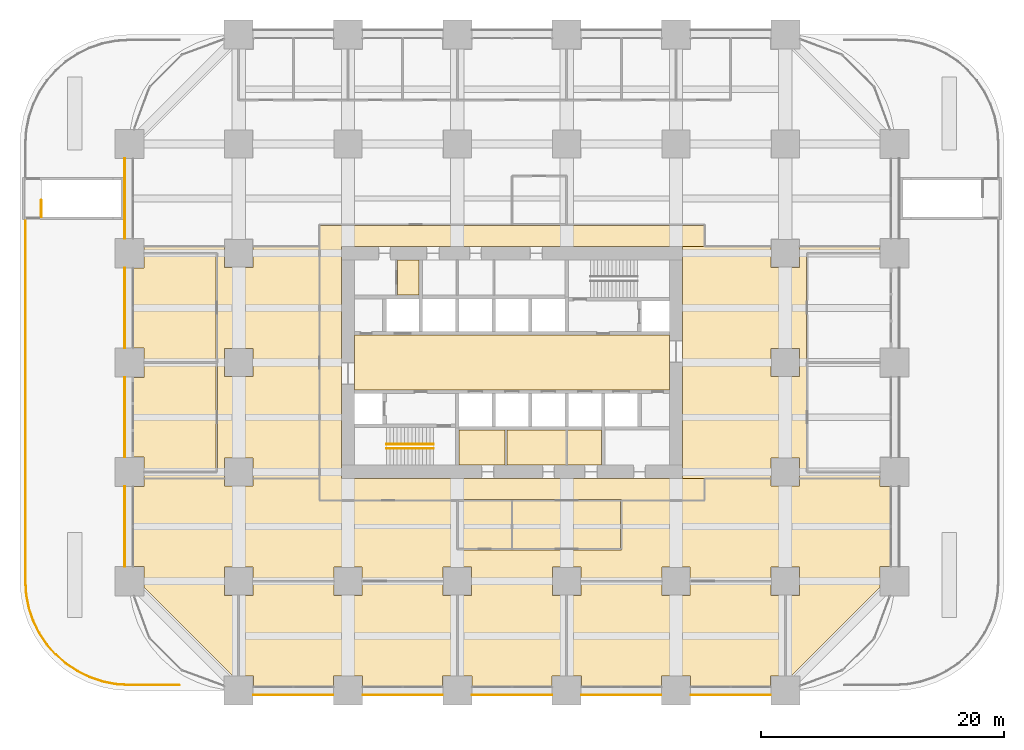
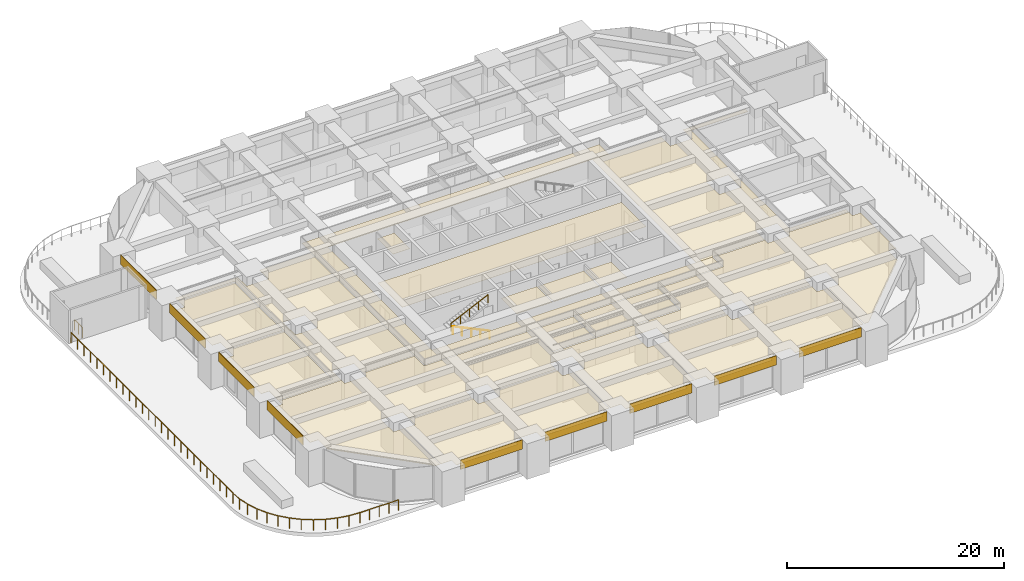
# One storey, part 36 of 38: 24 coverings, 4 railings.
"""IFC4 building model written with IfcOpenShell, lengths in metres."""

import ifcopenshell
import ifcopenshell.guid

model = None  # the IFC model being written
_history = None  # IfcOwnerHistory: only IFC2X3 demands one
_inside = {}  # id of a spatial element -> (the spatial element, [elements in it])
_under = {}  # id of a project, library or spatial element -> (it, [spatial elements below it])
_declared = {}  # id of a project -> (the project, [libraries it declares])
_typed = {}  # id of a type object -> (the type object, [elements of that type])
_made_of = {}  # id of a material, layer set ... -> (it, [elements and type objects made of it])


def new_model(schema):
    """Start an empty IFC model of exactly this schema.

    Asked for "IFC4X3", IfcOpenShell would pick the latest addendum, in which some entities
    have other attributes; the version numbers below select the first issue.
    IFC2X3 requires an IfcOwnerHistory on every rooted entity: one is made here for all.
    """
    global model, _history
    if schema == "IFC4X3":
        model = ifcopenshell.file(schema_version=(4, 3, 0, 0))
    else:
        model = ifcopenshell.file(schema=schema)
    _inside.clear()
    _under.clear()
    _declared.clear()
    _typed.clear()
    _made_of.clear()
    _history = None
    if model.schema == "IFC2X3":
        org = make("IfcOrganization", Name="unknown")
        user = make(
            "IfcPersonAndOrganization",
            ThePerson=make("IfcPerson", FamilyName="unknown"),
            TheOrganization=org,
        )
        app = make(
            "IfcApplication",
            ApplicationDeveloper=org,
            Version="unknown",
            ApplicationFullName="unknown",
            ApplicationIdentifier="unknown",
        )
        _history = make(
            "IfcOwnerHistory",
            OwningUser=user,
            OwningApplication=app,
            ChangeAction="ADDED",
            CreationDate=0,
        )
    return model


def make(cls, **values):
    """One entity of the class cls with the attributes given. An attribute that is None is left unset."""
    return model.create_entity(
        cls, **{name: value for name, value in values.items() if value is not None}
    )


def rooted(cls, **values):
    """An entity with a GlobalId (a new one), such as an element, a storey or a relation."""
    return make(cls, GlobalId=ifcopenshell.guid.new(), OwnerHistory=_history, **values)


def si_unit(unit_type, name, prefix=None):
    """IfcSIUnit, for example si_unit("LENGTHUNIT", "METRE", prefix="MILLI")."""
    return make("IfcSIUnit", UnitType=unit_type, Prefix=prefix, Name=name)


def assignment(units):
    """IfcUnitAssignment: the units of a project."""
    return None if units is None else make("IfcUnitAssignment", Units=units)


def point(xyz):
    """IfcCartesianPoint."""
    return None if xyz is None else make("IfcCartesianPoint", Coordinates=xyz)


def direction(xyz):
    """IfcDirection."""
    return None if xyz is None else make("IfcDirection", DirectionRatios=xyz)


def frame(location, z_axis=None, x_axis=None):
    """IfcAxis2Placement3D, a coordinate frame: its origin and axes. An axis left out is left unset."""
    return make(
        "IfcAxis2Placement3D",
        Location=point(location),
        Axis=direction(z_axis),
        RefDirection=direction(x_axis),
    )


def frame_2d(location, x_axis=None):
    """IfcAxis2Placement2D, a coordinate frame in the plane: its origin and x axis."""
    return make(
        "IfcAxis2Placement2D", Location=point(location), RefDirection=direction(x_axis)
    )


def origin():
    """The frame at (0, 0, 0) with its axes left unset."""
    return frame((0.0, 0.0, 0.0))


def origin_2d():
    """The frame at (0, 0) in the plane with its x axis left unset."""
    return frame_2d((0.0, 0.0))


def place(relative_to, where):
    """IfcLocalPlacement: puts the frame where relative to a parent placement (None: the world)."""
    return make(
        "IfcLocalPlacement", PlacementRelTo=relative_to, RelativePlacement=where
    )


def context(
    kind, dimensions, precision=None, world=None, true_north=None, identifier=None
):
    """IfcGeometricRepresentationContext, for example the 3D "Model" context."""
    return make(
        "IfcGeometricRepresentationContext",
        ContextIdentifier=identifier,
        ContextType=kind,
        CoordinateSpaceDimension=dimensions,
        Precision=precision,
        WorldCoordinateSystem=world,
        TrueNorth=true_north,
    )


def subcontext(parent, identifier, kind, view, scale=None):
    """IfcGeometricRepresentationSubContext, for example "Body" below "Model"."""
    return make(
        "IfcGeometricRepresentationSubContext",
        ContextIdentifier=identifier,
        ContextType=kind,
        ParentContext=parent,
        TargetScale=scale,
        TargetView=view,
    )


def project(units=None, contexts=None):
    """IfcProject with its units and contexts."""
    return rooted(
        "IfcProject",
        Name="project",
        RepresentationContexts=contexts,
        UnitsInContext=assignment(units),
    )


def spatial(cls, under=None, at=None, **own):
    """A site, building, storey or space (cls), placed at a placement, below another one or the project."""
    s = rooted(cls, ObjectPlacement=at, **own)
    if under is not None:
        _under.setdefault(under.id(), (under, []))[1].append(s)
    return s


def polyline(points):
    """IfcPolyline through the points."""
    return make("IfcPolyline", Points=[point(p) for p in points])


def profile(cls, at=None, kind="AREA", **sizes):
    """A parametric profile (cls). Its sizes go by their IFC names, for example OverallWidth=200.0."""
    return make(cls, ProfileType=kind, Position=at, **sizes)


def rectangle(**sizes):
    """IfcRectangleProfileDef."""
    return profile("IfcRectangleProfileDef", **sizes)


def circle(**sizes):
    """IfcCircleProfileDef."""
    return profile("IfcCircleProfileDef", **sizes)


def outline(outer, holes=None, kind="AREA"):
    """IfcArbitraryClosedProfileDef: a profile drawn as a closed curve; with holes, ...WithVoids."""
    if holes is None:
        return make("IfcArbitraryClosedProfileDef", ProfileType=kind, OuterCurve=outer)
    return make(
        "IfcArbitraryProfileDefWithVoids",
        ProfileType=kind,
        OuterCurve=outer,
        InnerCurves=holes,
    )


def extrude(swept, where, along, depth):
    """IfcExtrudedAreaSolid: the profile swept, set in the frame where, extruded along a direction by depth."""
    return make(
        "IfcExtrudedAreaSolid",
        SweptArea=swept,
        Position=where,
        ExtrudedDirection=direction(along),
        Depth=depth,
    )


def shape(context_of_items, identifier, shape_type, items):
    """IfcShapeRepresentation: the items that make up one representation, for example the "Body"."""
    return make(
        "IfcShapeRepresentation",
        ContextOfItems=context_of_items,
        RepresentationIdentifier=identifier,
        RepresentationType=shape_type,
        Items=items,
    )


def material(Name=None, Category=None):
    """IfcMaterial."""
    return make("IfcMaterial", Name=Name, Category=Category)


def layer(
    of_material, thickness, ventilated=None, Name=None, Category=None, Priority=None
):
    """IfcMaterialLayer: one layer of a wall or slab, of a material (None: an air gap)."""
    return make(
        "IfcMaterialLayer",
        Material=of_material,
        LayerThickness=thickness,
        IsVentilated=ventilated,
        Name=Name,
        Category=Category,
        Priority=Priority,
    )


def layer_set(layers, Name=None):
    """IfcMaterialLayerSet."""
    return make("IfcMaterialLayerSet", MaterialLayers=layers, LayerSetName=Name)


def made_of(thing, what):
    """Note that an element or type object is made of a material, layer set ...; save() writes the relation."""
    if what is not None:
        _made_of.setdefault(what.id(), (what, []))[1].append(thing)
    return thing


def type_object(cls, material=None, **own):
    """A type object (cls), such as IfcWallType, which elements share."""
    return made_of(rooted(cls, **own), material)


def element(
    cls,
    number,
    at=None,
    inside=None,
    cuts=None,
    type_object=None,
    material=None,
    context=None,
    identifier="Body",
    shape_type=None,
    held_by="IfcProductDefinitionShape",
    body=None,
    shapes=None,
    **own,
):
    """One element of the class cls, such as IfcWall. Its Tag is "e" and its number.

    at: its placement. inside: the storey or other place that contains it. cuts: it is an
    opening in that element (IfcRelVoidsElement). A single representation is given by context,
    identifier, shape_type and body (its items); several are given by shapes. held_by: the class
    of the entity that holds the representations. save() writes the other relations.
    """
    e = rooted(cls, Tag="e%d" % number, ObjectPlacement=at, **own)
    if body is not None:
        shapes = [shape(context, identifier, shape_type, body)]
    if shapes is not None:
        e.Representation = make(held_by, Representations=shapes)
    if inside is not None:
        _inside.setdefault(inside.id(), (inside, []))[1].append(e)
    if cuts is not None:
        rooted(
            "IfcRelVoidsElement", RelatingBuildingElement=cuts, RelatedOpeningElement=e
        )
    if type_object is not None:
        _typed.setdefault(type_object.id(), (type_object, []))[1].append(e)
    return made_of(e, material)


def aggregate(whole, parts):
    """IfcRelAggregates: a whole, such as a stair, and the parts it consists of."""
    return rooted("IfcRelAggregates", RelatingObject=whole, RelatedObjects=parts)


def save(model, path):
    """Write the relations noted so far, then the file.

    IfcRelAggregates (storeys below a building ...), IfcRelContainedInSpatialStructure (elements
    in a storey), IfcRelDefinesByType, IfcRelAssociatesMaterial and IfcRelDeclares: one each for
    every whole, place, type object, material and project.
    """
    for whole, parts in _under.values():
        aggregate(whole, parts)
    for where, things in _inside.values():
        rooted(
            "IfcRelContainedInSpatialStructure",
            RelatedElements=things,
            RelatingStructure=where,
        )
    for kind, things in _typed.values():
        rooted("IfcRelDefinesByType", RelatedObjects=things, RelatingType=kind)
    for what, things in _made_of.values():
        rooted("IfcRelAssociatesMaterial", RelatedObjects=things, RelatingMaterial=what)
    for by, libraries in _declared.values():
        rooted("IfcRelDeclares", RelatingContext=by, RelatedDefinitions=libraries)
    model.write(path)


model = new_model("IFC4")

# Units and contexts
model_context = context("Model", 3, precision=1e-05, world=origin(), true_north=direction((0.0, 1.0)))
body_context = subcontext(model_context, "Body", "Model", "MODEL_VIEW")
ifc_project = project(units=[si_unit("LENGTHUNIT", "METRE"), si_unit("AREAUNIT", "SQUARE_METRE"), si_unit("VOLUMEUNIT", "CUBIC_METRE"), si_unit("PLANEANGLEUNIT", "RADIAN"), si_unit("MASSUNIT", "GRAM", prefix="KILO")], contexts=[model_context])

# Site, building, storey
site_placement = place(None, origin())
site = spatial("IfcSite", under=ifc_project, at=site_placement, CompositionType="ELEMENT")
building_placement = place(site_placement, origin())
building = spatial("IfcBuilding", under=site, at=building_placement, Name="Zorevar Civic Tower", CompositionType="ELEMENT")
storey_placement = place(building_placement, frame((0.0, 0.0, 15.800048828125)))
storey = spatial("IfcBuildingStorey", under=building, at=storey_placement, Name="L03", CompositionType="ELEMENT", Elevation=15.800048828125)

# Railings
ifc_material_1 = material(Name="Black steel posts and laminated glass", Category="steel")
railing_type_1 = type_object("IfcRailingType", Name="Guard GR1 1200", PredefinedType="GUARDRAIL", material=ifc_material_1)
railing_1_placement = place(storey_placement, frame((4.11083984375, 0.449951171875, 0.0)))
element("IfcRailing", 1, at=railing_1_placement, inside=storey, type_object=railing_type_1, Name="Guard GR1 L03", PredefinedType="GUARDRAIL", context=body_context, shape_type="SweptSolid", body=[
    extrude(circle(Radius=0.02392578125, at=origin_2d()), frame((0.0, 0.0, 1.17578125), z_axis=(-1.0, 0.0, 0.0), x_axis=(0.0, -1.0, 0.0)), (0.0, 0.0, 1.0), 4.09619140625),
    extrude(circle(Radius=0.02392578125, at=origin_2d()), frame((-4.09619140625, 0.0, 1.17578125), z_axis=(-0.997852333837, 0.065503586587, 0.0), x_axis=(-0.065503586587, -0.997852333837, 0.0)), (0.0, 0.0, 1.0), 1.133056640625),
    extrude(circle(Radius=0.02392578125, at=origin_2d()), frame((-5.226806640625, 0.07421875, 1.17578125), z_axis=(-0.980806763429, 0.194982288456, 0.0), x_axis=(-0.194982288456, -0.980806763429, 0.0)), (0.0, 0.0, 1.0), 1.1181640625),
    extrude(circle(Radius=0.02392578125, at=origin_2d()), frame((-6.323486328125, 0.292236328125, 1.17578125), z_axis=(-0.946877825624, 0.321593506374, 0.0), x_axis=(-0.321593506374, -0.946877825624, 0.0)), (0.0, 0.0, 1.0), 1.1181640625),
    extrude(circle(Radius=0.02392578125, at=origin_2d()), frame((-7.38232421875, 0.65185546875, 1.17578125), z_axis=(-0.896859006823, 0.442316540366, 0.0), x_axis=(-0.442316540366, -0.896859006823, 0.0)), (0.0, 0.0, 1.0), 1.1181640625),
    extrude(circle(Radius=0.02392578125, at=origin_2d()), frame((-8.38525390625, 1.146484375, 1.17578125), z_axis=(-0.831579768311, 0.555405337512, 0.0), x_axis=(-0.555405337512, -0.831579768311, 0.0)), (0.0, 0.0, 1.0), 1.1181640625),
    extrude(circle(Radius=0.02392578125, at=origin_2d()), frame((-9.315185546875, 1.767578125, 1.17578125), z_axis=(-0.751873024363, 0.659307936578, 0.0), x_axis=(-0.659307936578, -0.751873024363, 0.0)), (0.0, 0.0, 1.0), 1.118408203125),
    extrude(circle(Radius=0.02392578125, at=origin_2d()), frame((-10.156005859375, 2.5048828125, 1.17578125), z_axis=(-0.659307936578, 0.751873024363, 0.0), x_axis=(-0.751873024363, -0.659307936578, 0.0)), (0.0, 0.0, 1.0), 1.118408203125),
    extrude(circle(Radius=0.02392578125, at=origin_2d()), frame((-10.893310546875, 3.345703125, 1.17578125), z_axis=(-0.555405337512, 0.831579768311, 0.0), x_axis=(-0.831579768311, -0.555405337512, 0.0)), (0.0, 0.0, 1.0), 1.1181640625),
    extrude(circle(Radius=0.02392578125, at=origin_2d()), frame((-11.514404296875, 4.275634765625, 1.17578125), z_axis=(-0.442316540366, 0.896859006823, 0.0), x_axis=(-0.896859006823, -0.442316540366, 0.0)), (0.0, 0.0, 1.0), 1.1181640625),
    extrude(circle(Radius=0.02392578125, at=origin_2d()), frame((-12.009033203125, 5.278564453125, 1.17578125), z_axis=(-0.321593506374, 0.946877825624, 0.0), x_axis=(-0.946877825624, -0.321593506374, 0.0)), (0.0, 0.0, 1.0), 1.1181640625),
    extrude(circle(Radius=0.02392578125, at=origin_2d()), frame((-12.36865234375, 6.33740234375, 1.17578125), z_axis=(-0.194982288456, 0.980806763429, 0.0), x_axis=(-0.980806763429, -0.194982288456, 0.0)), (0.0, 0.0, 1.0), 1.1181640625),
    extrude(circle(Radius=0.02392578125, at=origin_2d()), frame((-12.586669921875, 7.43408203125, 1.17578125), z_axis=(-0.065503586587, 0.997852333837, 0.0), x_axis=(-0.997852333837, -0.065503586587, 0.0)), (0.0, 0.0, 1.0), 1.133056640625),
    extrude(circle(Radius=0.02392578125, at=origin_2d()), frame((-12.660888671875, 8.564697265625, 1.17578125), z_axis=(0.0, 1.0, 0.0), x_axis=(-1.0, 0.0, 0.0)), (0.0, 0.0, 1.0), 29.76025390625),
    extrude(circle(Radius=0.02099609375, at=origin_2d()), origin(), (0.0, 0.0, 1.0), 1.15185546875),
    extrude(circle(Radius=0.02099609375, at=origin_2d()), frame((-1.02392578125, 0.0, 0.0)), (0.0, 0.0, 1.0), 1.15185546875),
    extrude(circle(Radius=0.02099609375, at=origin_2d()), frame((-2.048095703125, 0.0, 0.0)), (0.0, 0.0, 1.0), 1.15185546875),
    extrude(circle(Radius=0.02099609375, at=origin_2d()), frame((-3.072265625, 0.0, 0.0)), (0.0, 0.0, 1.0), 1.15185546875),
    extrude(circle(Radius=0.02099609375, at=origin_2d()), frame((-4.09619140625, 0.0, 0.0)), (0.0, 0.0, 1.0), 1.15185546875),
    extrude(circle(Radius=0.02099609375, at=origin_2d()), frame((-5.226806640625, 0.07421875, 0.0)), (0.0, 0.0, 1.0), 1.15185546875),
    extrude(circle(Radius=0.02099609375, at=origin_2d()), frame((-6.323486328125, 0.292236328125, 0.0)), (0.0, 0.0, 1.0), 1.15185546875),
    extrude(circle(Radius=0.02099609375, at=origin_2d()), frame((-7.38232421875, 0.65185546875, 0.0)), (0.0, 0.0, 1.0), 1.15185546875),
    extrude(circle(Radius=0.02099609375, at=origin_2d()), frame((-8.38525390625, 1.146484375, 0.0)), (0.0, 0.0, 1.0), 1.15185546875),
    extrude(circle(Radius=0.02099609375, at=origin_2d()), frame((-9.315185546875, 1.767578125, 0.0)), (0.0, 0.0, 1.0), 1.15185546875),
    extrude(circle(Radius=0.02099609375, at=origin_2d()), frame((-10.156005859375, 2.5048828125, 0.0)), (0.0, 0.0, 1.0), 1.15185546875),
    extrude(circle(Radius=0.02099609375, at=origin_2d()), frame((-10.893310546875, 3.345703125, 0.0)), (0.0, 0.0, 1.0), 1.15185546875),
    extrude(circle(Radius=0.02099609375, at=origin_2d()), frame((-11.514404296875, 4.275634765625, 0.0)), (0.0, 0.0, 1.0), 1.15185546875),
    extrude(circle(Radius=0.02099609375, at=origin_2d()), frame((-12.009033203125, 5.278564453125, 0.0)), (0.0, 0.0, 1.0), 1.15185546875),
    extrude(circle(Radius=0.02099609375, at=origin_2d()), frame((-12.36865234375, 6.33740234375, 0.0)), (0.0, 0.0, 1.0), 1.15185546875),
    extrude(circle(Radius=0.02099609375, at=origin_2d()), frame((-12.586669921875, 7.43408203125, 0.0)), (0.0, 0.0, 1.0), 1.15185546875),
    extrude(circle(Radius=0.02099609375, at=origin_2d()), frame((-12.660888671875, 8.564697265625, 0.0)), (0.0, 0.0, 1.0), 1.15185546875),
    extrude(circle(Radius=0.02099609375, at=origin_2d()), frame((-12.660888671875, 9.755126953125, 0.0)), (0.0, 0.0, 1.0), 1.15185546875),
    extrude(circle(Radius=0.02099609375, at=origin_2d()), frame((-12.660888671875, 10.945556640625, 0.0)), (0.0, 0.0, 1.0), 1.15185546875),
    extrude(circle(Radius=0.02099609375, at=origin_2d()), frame((-12.660888671875, 12.135986328125, 0.0)), (0.0, 0.0, 1.0), 1.15185546875),
    extrude(circle(Radius=0.02099609375, at=origin_2d()), frame((-12.660888671875, 13.326416015625, 0.0)), (0.0, 0.0, 1.0), 1.15185546875),
    extrude(circle(Radius=0.02099609375, at=origin_2d()), frame((-12.660888671875, 14.516845703125, 0.0)), (0.0, 0.0, 1.0), 1.15185546875),
    extrude(circle(Radius=0.02099609375, at=origin_2d()), frame((-12.660888671875, 15.707275390625, 0.0)), (0.0, 0.0, 1.0), 1.15185546875),
    extrude(circle(Radius=0.02099609375, at=origin_2d()), frame((-12.660888671875, 16.8974609375, 0.0)), (0.0, 0.0, 1.0), 1.15185546875),
    extrude(circle(Radius=0.02099609375, at=origin_2d()), frame((-12.660888671875, 18.087890625, 0.0)), (0.0, 0.0, 1.0), 1.15185546875),
    extrude(circle(Radius=0.02099609375, at=origin_2d()), frame((-12.660888671875, 19.2783203125, 0.0)), (0.0, 0.0, 1.0), 1.15185546875),
    extrude(circle(Radius=0.02099609375, at=origin_2d()), frame((-12.660888671875, 20.46875, 0.0)), (0.0, 0.0, 1.0), 1.15185546875),
    extrude(circle(Radius=0.02099609375, at=origin_2d()), frame((-12.660888671875, 21.6591796875, 0.0)), (0.0, 0.0, 1.0), 1.15185546875),
    extrude(circle(Radius=0.02099609375, at=origin_2d()), frame((-12.660888671875, 22.849609375, 0.0)), (0.0, 0.0, 1.0), 1.15185546875),
    extrude(circle(Radius=0.02099609375, at=origin_2d()), frame((-12.660888671875, 24.0400390625, 0.0)), (0.0, 0.0, 1.0), 1.15185546875),
    extrude(circle(Radius=0.02099609375, at=origin_2d()), frame((-12.660888671875, 25.23046875, 0.0)), (0.0, 0.0, 1.0), 1.15185546875),
    extrude(circle(Radius=0.02099609375, at=origin_2d()), frame((-12.660888671875, 26.4208984375, 0.0)), (0.0, 0.0, 1.0), 1.15185546875),
    extrude(circle(Radius=0.02099609375, at=origin_2d()), frame((-12.660888671875, 27.611328125, 0.0)), (0.0, 0.0, 1.0), 1.15185546875),
    extrude(circle(Radius=0.02099609375, at=origin_2d()), frame((-12.660888671875, 28.8017578125, 0.0)), (0.0, 0.0, 1.0), 1.15185546875),
    extrude(circle(Radius=0.02099609375, at=origin_2d()), frame((-12.660888671875, 29.9921875, 0.0)), (0.0, 0.0, 1.0), 1.15185546875),
    extrude(circle(Radius=0.02099609375, at=origin_2d()), frame((-12.660888671875, 31.182373046875, 0.0)), (0.0, 0.0, 1.0), 1.15185546875),
    extrude(circle(Radius=0.02099609375, at=origin_2d()), frame((-12.660888671875, 32.372802734375, 0.0)), (0.0, 0.0, 1.0), 1.15185546875),
    extrude(circle(Radius=0.02099609375, at=origin_2d()), frame((-12.660888671875, 33.563232421875, 0.0)), (0.0, 0.0, 1.0), 1.15185546875),
    extrude(circle(Radius=0.02099609375, at=origin_2d()), frame((-12.660888671875, 34.753662109375, 0.0)), (0.0, 0.0, 1.0), 1.15185546875),
    extrude(circle(Radius=0.02099609375, at=origin_2d()), frame((-12.660888671875, 35.944091796875, 0.0)), (0.0, 0.0, 1.0), 1.15185546875),
    extrude(circle(Radius=0.02099609375, at=origin_2d()), frame((-12.660888671875, 37.134521484375, 0.0)), (0.0, 0.0, 1.0), 1.15185546875),
    extrude(circle(Radius=0.02099609375, at=origin_2d()), frame((-12.660888671875, 38.324951171875, 0.0)), (0.0, 0.0, 1.0), 1.15185546875),
])
ifc_material_2 = material(Name="Black steel handrail", Category="steel")
railing_type_2 = type_object("IfcRailingType", Name="Handrail HR1 900", PredefinedType="HANDRAIL", material=ifc_material_2)
railing_2_placement = place(storey_placement, frame((25.050048828125, 19.925048828125, 0.142822265625)))
element("IfcRailing", 2, at=railing_2_placement, inside=storey, type_object=railing_type_2, Name="Handrail HR1 ST1 L03", PredefinedType="HANDRAIL", context=body_context, shape_type="SweptSolid", body=[
    extrude(circle(Radius=0.02392578125, at=origin_2d()), frame((0.0, 0.0, 0.8759765625), z_axis=(-0.902863652845, 0.0, 0.429926998885), x_axis=(0.0, -1.0, 0.0)), (0.0, 0.0, 1.0), 4.31982421875),
    extrude(circle(Radius=0.02099609375, at=origin_2d()), origin(), (0.0, 0.0, 1.0), 0.851806640625),
    extrude(circle(Radius=0.02099609375, at=origin_2d()), frame((-0.97509765625, 0.0, 0.46435546875)), (0.0, 0.0, 1.0), 0.851806640625),
    extrude(circle(Radius=0.02099609375, at=origin_2d()), frame((-1.9501953125, 0.0, 0.9287109375)), (0.0, 0.0, 1.0), 0.851806640625),
    extrude(circle(Radius=0.02099609375, at=origin_2d()), frame((-2.925048828125, 0.0, 1.392822265625)), (0.0, 0.0, 1.0), 0.851806640625),
    extrude(circle(Radius=0.02099609375, at=origin_2d()), frame((-3.900146484375, 0.0, 1.857177734375)), (0.0, 0.0, 1.0), 0.851806640625),
])
railing_3_placement = place(storey_placement, frame((21.14990234375, 20.27490234375, 2.142822265625)))
element("IfcRailing", 3, at=railing_3_placement, inside=storey, type_object=railing_type_2, Name="Handrail HR1 ST1 L03", PredefinedType="HANDRAIL", context=body_context, shape_type="SweptSolid", body=[
    extrude(circle(Radius=0.02392578125, at=origin_2d()), frame((0.0, 0.0, 0.8759765625), z_axis=(0.902863652845, 0.0, 0.429926998885), x_axis=(0.0, 1.0, 0.0)), (0.0, 0.0, 1.0), 4.31982421875),
    extrude(circle(Radius=0.02099609375, at=origin_2d()), origin(), (0.0, 0.0, 1.0), 0.851806640625),
    extrude(circle(Radius=0.02099609375, at=origin_2d()), frame((0.97509765625, 0.0, 0.46435546875)), (0.0, 0.0, 1.0), 0.851806640625),
    extrude(circle(Radius=0.02099609375, at=origin_2d()), frame((1.9501953125, 0.0, 0.9287109375)), (0.0, 0.0, 1.0), 0.851806640625),
    extrude(circle(Radius=0.02099609375, at=origin_2d()), frame((2.925048828125, 0.0, 1.392822265625)), (0.0, 0.0, 1.0), 0.851806640625),
    extrude(circle(Radius=0.02099609375, at=origin_2d()), frame((3.900146484375, 0.0, 1.857177734375)), (0.0, 0.0, 1.0), 0.851806640625),
])

# Coverings
ifc_material_3 = material(Name="Moisture-resistant gypsum board")
ifc_layer_1 = layer(ifc_material_3, 0.012451171875)
ifc_layer_set_1 = layer_set([ifc_layer_1], Name="Moisture-resistant ceiling SC3")
covering_type_1 = type_object("IfcCoveringType", Name="Moisture-resistant ceiling SC3", PredefinedType="CEILING", material=ifc_layer_set_1)
covering_1_placement = place(storey_placement, frame((0.0, 0.0, 3.0)))
element("IfcCovering", 4, at=covering_1_placement, inside=storey, type_object=covering_type_1, Name="Ceiling L03-05", PredefinedType="CEILING", context=body_context, shape_type="SweptSolid", body=[
    extrude(outline(polyline([(30.925048828125, 18.550048828125), (30.925048828125, 21.449951171875), (27.14990234375, 21.449951171875), (27.14990234375, 18.550048828125), (30.925048828125, 18.550048828125)])), origin(), (0.0, 0.0, 1.0), 0.012451171875),
])
covering_2_placement = place(storey_placement, frame((0.0, 0.0, 3.0)))
element("IfcCovering", 5, at=covering_2_placement, inside=storey, type_object=covering_type_1, Name="Ceiling L03-06", PredefinedType="CEILING", context=body_context, shape_type="SweptSolid", body=[
    extrude(outline(polyline([(35.925048828125, 18.550048828125), (35.925048828125, 21.449951171875), (31.074951171875, 21.449951171875), (31.074951171875, 18.550048828125), (35.925048828125, 18.550048828125)])), origin(), (0.0, 0.0, 1.0), 0.012451171875),
])
covering_3_placement = place(storey_placement, frame((0.0, 0.0, 3.0)))
element("IfcCovering", 6, at=covering_3_placement, inside=storey, type_object=covering_type_1, Name="Ceiling L03-07", PredefinedType="CEILING", context=body_context, shape_type="SweptSolid", body=[
    extrude(outline(polyline([(38.85009765625, 18.550048828125), (38.85009765625, 21.449951171875), (36.074951171875, 21.449951171875), (36.074951171875, 18.550048828125), (38.85009765625, 18.550048828125)])), origin(), (0.0, 0.0, 1.0), 0.012451171875),
])
ifc_material_4 = material(Name="Black anodised aluminium spandrel panel", Category="aluminium")
ifc_layer_2 = layer(ifc_material_4, 0.050048828125)
ifc_layer_set_2 = layer_set([ifc_layer_2], Name="Spandrel cladding SP1")
covering_type_2 = type_object("IfcCoveringType", Name="Spandrel cladding SP1", PredefinedType="CLADDING", material=ifc_layer_set_2)
for number, where, z_axis, x_axis, name in (
    (7, (10.199951171875, -0.375, 2.949951171875), (0.0, 0.0, 1.0), (1.0, 0.0, 0.0), "Spandrel cladding L04"),
    (8, (19.199951171875, -0.375, 2.949951171875), (0.0, 0.0, 1.0), (1.0, 0.0, 0.0), "Spandrel cladding L04"),
    (9, (28.199951171875, -0.375, 2.949951171875), (0.0, 0.0, 1.0), (1.0, 0.0, 0.0), "Spandrel cladding L04"),
    (10, (37.199951171875, -0.375, 2.949951171875), (0.0, 0.0, 1.0), (1.0, 0.0, 0.0), "Spandrel cladding L04"),
    (11, (46.199951171875, -0.375, 2.949951171875), (0.0, 0.0, 1.0), (1.0, 0.0, 0.0), "Spandrel cladding L04"),
    (12, (-0.375, 10.199951171875, 2.949951171875), (0.0, 0.0, 1.0), (0.0, 1.0, 0.0), "Spandrel cladding L04"),
    (13, (-0.375, 19.199951171875, 2.949951171875), (0.0, 0.0, 1.0), (0.0, 1.0, 0.0), "Spandrel cladding L04"),
    (14, (-0.375, 28.199951171875, 2.949951171875), (0.0, 0.0, 1.0), (0.0, 1.0, 0.0), "Spandrel cladding L04"),
    (15, (-0.375, 37.199951171875, 2.949951171875), (0.0, 0.0, 1.0), (0.0, 1.0, 0.0), "Spandrel cladding L04"),
):
    element("IfcCovering", number, at=place(storey_placement, frame(where, z_axis=z_axis, x_axis=x_axis)), inside=storey, type_object=covering_type_2, Name=name, PredefinedType="CLADDING", context=body_context, shape_type="SweptSolid", body=[
        extrude(rectangle(XDim=6.60009765625, YDim=0.050048828125, at=frame_2d((3.300048828125, 0.0))), origin(), (0.0, 0.0, 1.0), 1.050048828125),
    ])

# Railing
ifc_material_5 = material(Name="Black steel guard with infill bars", Category="steel")
railing_type_3 = type_object("IfcRailingType", Name="Stair guard GR2 1200", PredefinedType="GUARDRAIL", material=ifc_material_5)
railing_4_placement = place(storey_placement, frame((-7.25, 38.97509765625, 0.0)))
element("IfcRailing", 16, at=railing_4_placement, inside=storey, type_object=railing_type_3, Name="Stair guard PS1 L03", PredefinedType="GUARDRAIL", context=body_context, shape_type="SweptSolid", body=[
    extrude(circle(Radius=0.02392578125, at=origin_2d()), frame((0.0, 0.0, 1.17578125), z_axis=(0.0, 1.0, 0.0), x_axis=(-1.0, 0.0, 0.0)), (0.0, 0.0, 1.0), 1.39990234375),
    extrude(circle(Radius=0.02099609375, at=origin_2d()), origin(), (0.0, 0.0, 1.0), 1.15185546875),
    extrude(circle(Radius=0.02099609375, at=origin_2d()), frame((0.0, 0.699951171875, 0.0)), (0.0, 0.0, 1.0), 1.15185546875),
    extrude(circle(Radius=0.02099609375, at=origin_2d()), frame((0.0, 1.39990234375, 0.0)), (0.0, 0.0, 1.0), 1.15185546875),
])

# Coverings
ifc_material_6 = material(Name="Mineral fibre tiles on a concealed grid")
ifc_layer_3 = layer(ifc_material_6, 0.02001953125)
ifc_layer_set_3 = layer_set([ifc_layer_3], Name="Suspended ceiling SC1")
covering_type_3 = type_object("IfcCoveringType", Name="Suspended ceiling SC1", PredefinedType="CEILING", material=ifc_layer_set_3)
covering_4_placement = place(storey_placement, frame((0.0, 0.0, 3.0)))
element("IfcCovering", 17, at=covering_4_placement, inside=storey, type_object=covering_type_3, Name="Ceiling L03-12", PredefinedType="CEILING", context=body_context, shape_type="SweptSolid", body=[
    extrude(outline(polyline([(23.85009765625, 32.550048828125), (23.85009765625, 35.449951171875), (22.06005859375, 35.449951171875), (22.06005859375, 32.550048828125), (23.85009765625, 32.550048828125)])), origin(), (0.0, 0.0, 1.0), 0.02001953125),
])
covering_5_placement = place(storey_placement, frame((0.0, 0.0, 3.0)))
element("IfcCovering", 18, at=covering_5_placement, inside=storey, type_object=covering_type_3, Name="Ceiling L03-16", PredefinedType="CEILING", context=body_context, shape_type="SweptSolid", body=[
    extrude(outline(polyline([(44.449951171875, 24.75), (44.449951171875, 29.25), (18.550048828125, 29.25), (18.550048828125, 24.75), (44.449951171875, 24.75)])), origin(), (0.0, 0.0, 1.0), 0.02001953125),
])
covering_6_placement = place(storey_placement, frame((0.0, 0.0, 3.0)))
element("IfcCovering", 19, at=covering_6_placement, inside=storey, type_object=covering_type_3, Name="Ceiling L03-19", PredefinedType="CEILING", context=body_context, shape_type="SweptSolid", body=[
    extrude(outline(polyline([(1.2099609375, 19.2099609375), (0.35009765625, 19.2099609375), (0.35009765625, 25.7900390625), (1.2099609375, 25.7900390625), (1.2099609375, 26.93994140625), (7.14990234375, 26.93994140625), (7.14990234375, 18.050048828125), (1.2099609375, 18.050048828125), (1.2099609375, 19.2099609375)])), origin(), (0.0, 0.0, 1.0), 0.02001953125),
])
covering_7_placement = place(storey_placement, frame((0.0, 0.0, 3.0)))
element("IfcCovering", 20, at=covering_7_placement, inside=storey, type_object=covering_type_3, Name="Ceiling L03-20", PredefinedType="CEILING", context=body_context, shape_type="SweptSolid", body=[
    extrude(outline(polyline([(1.2099609375, 28.2099609375), (0.35009765625, 28.2099609375), (0.35009765625, 34.7900390625), (1.2099609375, 34.7900390625), (1.2099609375, 35.93994140625), (7.139892578125, 35.93994140625), (7.139892578125, 27.06005859375), (1.2099609375, 27.06005859375), (1.2099609375, 28.2099609375)])), origin(), (0.0, 0.0, 1.0), 0.02001953125),
])
covering_8_placement = place(storey_placement, frame((0.0, 0.0, 3.0)))
element("IfcCovering", 21, at=covering_8_placement, inside=storey, type_object=covering_type_3, Name="Ceiling L03-23", PredefinedType="CEILING", context=body_context, shape_type="SweptSolid", body=[
    extrude(outline(polyline([(10.159912109375, 7.840087890625), (10.159912109375, 8.93994140625), (16.840087890625, 8.93994140625), (16.840087890625, 7.840087890625), (19.159912109375, 7.840087890625), (19.159912109375, 8.93994140625), (25.840087890625, 8.93994140625), (25.840087890625, 7.840087890625), (26.93994140625, 7.840087890625), (26.93994140625, 1.2099609375), (25.7900390625, 1.2099609375), (25.7900390625, 0.35009765625), (19.2099609375, 0.35009765625), (19.2099609375, 1.2099609375), (16.7900390625, 1.2099609375), (16.7900390625, 0.35009765625), (10.2099609375, 0.35009765625), (10.2099609375, 1.2099609375), (9.06005859375, 1.2099609375), (9.06005859375, 7.840087890625), (10.159912109375, 7.840087890625)])), origin(), (0.0, 0.0, 1.0), 0.02001953125),
])
covering_9_placement = place(storey_placement, frame((0.0, 0.0, 3.0)))
element("IfcCovering", 22, at=covering_9_placement, inside=storey, type_object=covering_type_3, Name="Ceiling L03-24", PredefinedType="CEILING", context=body_context, shape_type="SweptSolid", body=[
    extrude(outline(polyline([(37.159912109375, 7.840087890625), (37.159912109375, 8.93994140625), (43.840087890625, 8.93994140625), (43.840087890625, 7.840087890625), (46.159912109375, 7.840087890625), (46.159912109375, 8.93994140625), (52.840087890625, 8.93994140625), (52.840087890625, 7.840087890625), (53.93994140625, 7.840087890625), (53.93994140625, 1.2099609375), (52.7900390625, 1.2099609375), (52.7900390625, 0.35009765625), (46.2099609375, 0.35009765625), (46.2099609375, 1.2099609375), (43.7900390625, 1.2099609375), (43.7900390625, 0.35009765625), (37.2099609375, 0.35009765625), (37.2099609375, 1.2099609375), (36.06005859375, 1.2099609375), (36.06005859375, 7.840087890625), (37.159912109375, 7.840087890625)])), origin(), (0.0, 0.0, 1.0), 0.02001953125),
])
covering_10_placement = place(storey_placement, frame((0.0, 0.0, 3.0)))
element("IfcCovering", 23, at=covering_10_placement, inside=storey, type_object=covering_type_3, Name="Ceiling L03-34", PredefinedType="CEILING", context=body_context, shape_type="SweptSolid", body=[
    extrude(outline(polyline([(27.06005859375, 15.590087890625), (31.43994140625, 15.590087890625), (31.43994140625, 11.7099609375), (27.06005859375, 11.7099609375), (27.06005859375, 15.590087890625)])), origin(), (0.0, 0.0, 1.0), 0.02001953125),
])
covering_11_placement = place(storey_placement, frame((0.0, 0.0, 3.0)))
element("IfcCovering", 24, at=covering_11_placement, inside=storey, type_object=covering_type_3, Name="Ceiling L03-35", PredefinedType="CEILING", context=body_context, shape_type="SweptSolid", body=[
    extrude(outline(polyline([(40.43994140625, 15.590087890625), (40.43994140625, 11.7099609375), (31.56005859375, 11.7099609375), (31.56005859375, 15.590087890625), (40.43994140625, 15.590087890625)])), origin(), (0.0, 0.0, 1.0), 0.02001953125),
])
covering_12_placement = place(storey_placement, frame((0.0, 0.0, 3.0)))
element("IfcCovering", 25, at=covering_12_placement, inside=storey, type_object=covering_type_3, Name="Ceiling L03-36", PredefinedType="CEILING", context=body_context, shape_type="SweptSolid", body=[
    extrude(outline(polyline([(47.300048828125, 15.699951171875), (40.5, 15.699951171875), (40.5, 15.7099609375), (27.0, 15.7099609375), (27.0, 15.699951171875), (15.699951171875, 15.699951171875), (15.699951171875, 38.300048828125), (31.5, 38.300048828125), (31.5, 38.2900390625), (36.0, 38.2900390625), (36.0, 38.300048828125), (47.300048828125, 38.300048828125), (47.300048828125, 36.550048828125), (17.449951171875, 36.550048828125), (17.449951171875, 17.449951171875), (47.300048828125, 17.449951171875), (47.300048828125, 15.699951171875)])), origin(), (0.0, 0.0, 1.0), 0.02001953125),
])
covering_13_placement = place(storey_placement, frame((0.0, 0.0, 3.0)))
element("IfcCovering", 26, at=covering_13_placement, inside=storey, type_object=covering_type_3, Name="Ceiling L03-37", PredefinedType="CEILING", context=body_context, shape_type="SweptSolid", body=[
    extrude(outline(polyline([(55.159912109375, 19.159912109375), (52.840087890625, 19.159912109375), (52.840087890625, 17.5), (47.35009765625, 17.5), (47.35009765625, 17.449951171875), (45.550048828125, 17.449951171875), (45.550048828125, 36.550048828125), (47.35009765625, 36.550048828125), (47.35009765625, 36.5), (52.840087890625, 36.5), (52.840087890625, 34.840087890625), (55.159912109375, 34.840087890625), (55.159912109375, 36.5), (61.7900390625, 36.5), (61.7900390625, 36.050048828125), (55.800048828125, 36.050048828125), (55.800048828125, 36.0), (55.75, 36.0), (55.75, 27.0), (55.739990234375, 27.0), (55.739990234375, 18.0), (55.800048828125, 18.0), (55.800048828125, 17.93994140625), (61.7900390625, 17.93994140625), (61.7900390625, 17.5), (55.159912109375, 17.5), (55.159912109375, 19.159912109375)]), holes=[polyline([(55.159912109375, 25.840087890625), (55.159912109375, 28.159912109375), (52.840087890625, 28.159912109375), (52.840087890625, 25.840087890625), (55.159912109375, 25.840087890625)])]), origin(), (0.0, 0.0, 1.0), 0.02001953125),
])
covering_14_placement = place(storey_placement, frame((0.0, 0.0, 3.0)))
element("IfcCovering", 27, at=covering_14_placement, inside=storey, type_object=covering_type_3, Name="Ceiling L03-39", PredefinedType="CEILING", context=body_context, shape_type="SweptSolid", body=[
    extrude(outline(polyline([(47.35009765625, 15.64990234375), (47.39990234375, 15.64990234375), (47.39990234375, 17.39990234375), (52.840087890625, 17.39990234375), (52.840087890625, 16.840087890625), (55.159912109375, 16.840087890625), (55.159912109375, 17.39990234375), (61.7900390625, 17.39990234375), (61.7900390625, 16.7900390625), (62.64990234375, 16.7900390625), (62.64990234375, 10.2099609375), (61.7900390625, 10.2099609375), (61.7900390625, 8.4970703125), (54.5029296875, 1.2099609375), (54.06005859375, 1.2099609375), (54.06005859375, 7.840087890625), (55.159912109375, 7.840087890625), (55.159912109375, 10.159912109375), (52.840087890625, 10.159912109375), (52.840087890625, 9.06005859375), (46.159912109375, 9.06005859375), (46.159912109375, 10.159912109375), (43.840087890625, 10.159912109375), (43.840087890625, 9.06005859375), (37.159912109375, 9.06005859375), (37.159912109375, 10.159912109375), (34.840087890625, 10.159912109375), (34.840087890625, 7.840087890625), (35.93994140625, 7.840087890625), (35.93994140625, 1.2099609375), (34.7900390625, 1.2099609375), (34.7900390625, 0.35009765625), (28.2099609375, 0.35009765625), (28.2099609375, 1.2099609375), (27.06005859375, 1.2099609375), (27.06005859375, 7.840087890625), (28.159912109375, 7.840087890625), (28.159912109375, 10.159912109375), (25.840087890625, 10.159912109375), (25.840087890625, 9.06005859375), (19.159912109375, 9.06005859375), (19.159912109375, 10.159912109375), (16.840087890625, 10.159912109375), (16.840087890625, 9.06005859375), (10.159912109375, 9.06005859375), (10.159912109375, 10.159912109375), (7.840087890625, 10.159912109375), (7.840087890625, 7.840087890625), (8.93994140625, 7.840087890625), (8.93994140625, 1.2099609375), (8.4970703125, 1.2099609375), (1.2099609375, 8.4970703125), (1.2099609375, 10.2099609375), (0.35009765625, 10.2099609375), (0.35009765625, 16.7900390625), (1.2099609375, 16.7900390625), (1.2099609375, 17.39990234375), (7.840087890625, 17.39990234375), (7.840087890625, 16.840087890625), (10.159912109375, 16.840087890625), (10.159912109375, 17.39990234375), (15.60009765625, 17.39990234375), (15.60009765625, 15.64990234375), (15.64990234375, 15.64990234375), (15.64990234375, 15.60009765625), (26.93994140625, 15.60009765625), (26.93994140625, 11.64990234375), (27.0, 11.64990234375), (27.0, 11.590087890625), (40.5, 11.590087890625), (40.5, 11.64990234375), (40.56005859375, 11.64990234375), (40.56005859375, 15.60009765625), (47.35009765625, 15.60009765625), (47.35009765625, 15.64990234375)])), origin(), (0.0, 0.0, 1.0), 0.02001953125),
])
covering_15_placement = place(storey_placement, frame((0.0, 0.0, 3.0)))
element("IfcCovering", 28, at=covering_15_placement, inside=storey, type_object=covering_type_3, Name="Ceiling L03-40", PredefinedType="CEILING", context=body_context, shape_type="SweptSolid", body=[
    extrude(outline(polyline([(7.840087890625, 36.5), (7.840087890625, 34.840087890625), (10.159912109375, 34.840087890625), (10.159912109375, 36.5), (15.60009765625, 36.5), (15.60009765625, 17.5), (10.159912109375, 17.5), (10.159912109375, 19.159912109375), (7.840087890625, 19.159912109375), (7.840087890625, 17.5), (1.2099609375, 17.5), (1.2099609375, 17.949951171875), (7.199951171875, 17.949951171875), (7.199951171875, 18.0), (7.25, 18.0), (7.25, 27.0), (7.260009765625, 27.0), (7.260009765625, 36.0), (7.199951171875, 36.0), (7.199951171875, 36.06005859375), (1.2099609375, 36.06005859375), (1.2099609375, 36.5), (7.840087890625, 36.5)]), holes=[polyline([(7.840087890625, 28.159912109375), (7.840087890625, 25.840087890625), (10.159912109375, 25.840087890625), (10.159912109375, 28.159912109375), (7.840087890625, 28.159912109375)])]), origin(), (0.0, 0.0, 1.0), 0.02001953125),
])

save(model, "model.ifc")
